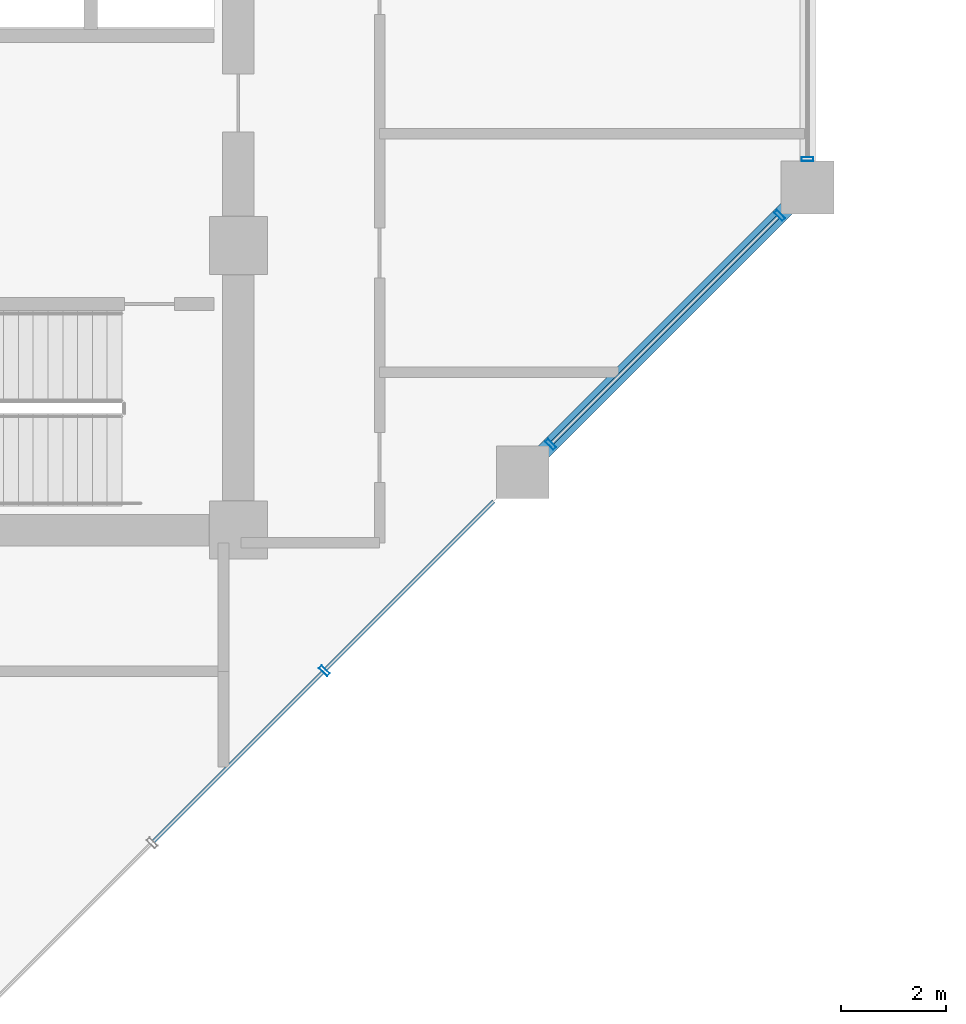
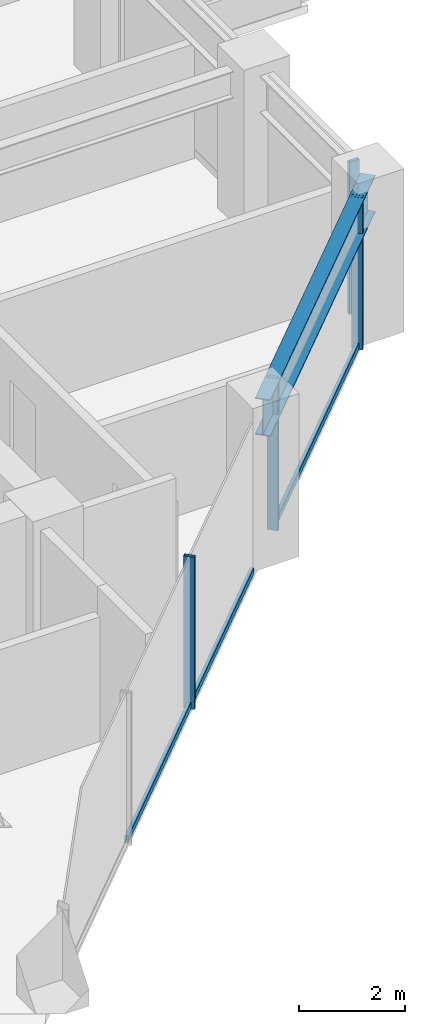
# One storey, part 8 of 29: 7 members, 1 beam, 2 elements without a shape of their own.
"""IFC4 building model written with IfcOpenShell, lengths in metres."""

from ifc_helpers import new_model, si_unit, direction, frame, origin, origin_2d, place, context, subcontext, project, spatial, hollow_rectangle, i_section, extrude, material, layer, layer_set, material_profile, profile_set, type_object, element, aggregate, save


model = new_model("IFC4")

# Units and contexts
model_context = context("Model", 3, precision=1e-05, world=origin(), true_north=direction((0.0, 1.0)))
body_context = subcontext(model_context, "Body", "Model", "MODEL_VIEW")
ifc_project = project(units=[si_unit("LENGTHUNIT", "METRE"), si_unit("AREAUNIT", "SQUARE_METRE"), si_unit("VOLUMEUNIT", "CUBIC_METRE"), si_unit("PLANEANGLEUNIT", "RADIAN"), si_unit("MASSUNIT", "GRAM", prefix="KILO")], contexts=[model_context])

# Site, building, storey
site_placement = place(None, origin())
site = spatial("IfcSite", under=ifc_project, at=site_placement, CompositionType="ELEMENT")
building_placement = place(site_placement, origin())
building = spatial("IfcBuilding", under=site, at=building_placement, Name="Surkhivell Harbour Commons", CompositionType="ELEMENT")
storey_placement = place(building_placement, frame((0.0, 0.0, 158.25)))
storey = spatial("IfcBuildingStorey", under=building, at=storey_placement, Name="L41", CompositionType="ELEMENT", Elevation=158.25)

# Beam
ifc_material_1 = material(Name="Steel S460", Category="steel")
ifc_material_profile_1 = material_profile(ifc_material_1, i_section(OverallWidth=0.2939453125, OverallDepth=0.85107421875, WebThickness=0.01611328125, FlangeThickness=0.02685546875, at=origin_2d()), Name="UB838x292x226")
ifc_profile_set_1 = profile_set([ifc_material_profile_1], Name="Steel S460")
beam_type = type_object("IfcBeamType", Name="BM-SPN-838", PredefinedType="SPANDREL", material=ifc_profile_set_1)
beam_placement = place(storey_placement, frame((16.199951171875, -9.699951171875, 3.074462890625), z_axis=(0.707122765516, 0.707090796496, 0.0), x_axis=(-0.707090796496, 0.707122765516, 0.0)))
element("IfcBeam", 1, at=beam_placement, inside=storey, type_object=beam_type, Name="L41 Tube Spandrel (16.2,-9.7)", PredefinedType="SPANDREL", context=body_context, shape_type="SweptSolid", body=[
    extrude(i_section(OverallWidth=0.2939453125, OverallDepth=0.85107421875, WebThickness=0.01611328125, FlangeThickness=0.02685546875, at=origin_2d()), origin(), (0.0, 0.0, 1.0), 7.63671875),
])

# Curtain wall, members
ifc_material_2 = material(Name="Anodised pale-metal aluminium and insulated glazing", Category="aluminium")
ifc_layer = layer(ifc_material_2, 0.205078125)
ifc_layer_set = layer_set([ifc_layer], Name="Anodised pale-metal aluminium and insulated glazing")
curtain_wall_type = type_object("IfcCurtainWallType", Name="CW-SYS-Z2", PredefinedType="NOTDEFINED", material=ifc_layer_set)
curtain_wall_1_placement = place(storey_placement, origin())
curtain_wall_1 = element("IfcCurtainWall", 2, at=curtain_wall_1_placement, inside=storey, type_object=curtain_wall_type, Name="L41 Curtain Wall CW-L41-E01", PredefinedType="NOTDEFINED")
ifc_material_3 = material(Name="Anodised pale-metal aluminium alloy 6063-T6", Category="aluminium")
ifc_material_profile_2 = material_profile(ifc_material_3, hollow_rectangle(XDim=0.074951171875, YDim=0.219970703125, WallThickness=0.00390625, at=origin_2d()), Name="ALU-MULL-75x220")
ifc_profile_set_2 = profile_set([ifc_material_profile_2], Name="Anodised pale-metal aluminium alloy 6063-T6")
member_type_1 = type_object("IfcMemberType", Name="CWM-220", PredefinedType="MULLION", material=ifc_profile_set_2)
member_1_placement = place(storey_placement, frame((12.432861328125, -13.46728515625, 0.0), z_axis=(0.0, 0.0, 1.0), x_axis=(0.707106781187, 0.707106781187, 0.0)))
member_1 = element("IfcMember", 3, at=member_1_placement, type_object=member_type_1, Name="CW-Z2 mullion 4", PredefinedType="MULLION", context=body_context, shape_type="SweptSolid", body=[
    extrude(hollow_rectangle(XDim=0.074951171875, YDim=0.219970703125, WallThickness=0.00390625, at=origin_2d()), origin(), (0.0, 0.0, 1.0), 3.5),
])
member_2_placement = place(storey_placement, frame((16.728271484375, -9.171875, 0.0), z_axis=(0.0, 0.0, 1.0), x_axis=(0.707106781187, 0.707106781187, 0.0)))
member_2 = element("IfcMember", 4, at=member_2_placement, type_object=member_type_1, Name="CW-Z2 mullion 5", PredefinedType="MULLION", context=body_context, shape_type="SweptSolid", body=[
    extrude(hollow_rectangle(XDim=0.074951171875, YDim=0.219970703125, WallThickness=0.00390625, at=origin_2d()), origin(), (0.0, 0.0, 1.0), 3.5),
])
member_3_placement = place(storey_placement, frame((21.07177734375, -4.828125, 0.0), z_axis=(0.0, 0.0, 1.0), x_axis=(0.707106781187, 0.707106781187, 0.0)))
member_3 = element("IfcMember", 5, at=member_3_placement, type_object=member_type_1, Name="CW-Z2 mullion 6", PredefinedType="MULLION", context=body_context, shape_type="SweptSolid", body=[
    extrude(hollow_rectangle(XDim=0.074951171875, YDim=0.219970703125, WallThickness=0.00390625, at=origin_2d()), origin(), (0.0, 0.0, 1.0), 3.5),
])

# Curtain wall, member
curtain_wall_2_placement = place(storey_placement, origin())
curtain_wall_2 = element("IfcCurtainWall", 6, at=curtain_wall_2_placement, inside=storey, type_object=curtain_wall_type, Name="L41 Curtain Wall CW-L41-E02R1", PredefinedType="NOTDEFINED")
member_4_placement = place(storey_placement, frame((21.60009765625, -3.760498046875, 0.0), z_axis=(0.0, 0.0, 1.0), x_axis=(0.0, 1.0, 0.0)))
member_4 = element("IfcMember", 7, at=member_4_placement, type_object=member_type_1, Name="CW-Z2 mullion 1", PredefinedType="MULLION", context=body_context, shape_type="SweptSolid", body=[
    extrude(hollow_rectangle(XDim=0.074951171875, YDim=0.219970703125, WallThickness=0.00390625, at=origin_2d()), origin(), (0.0, 0.0, 1.0), 3.5),
])
aggregate(curtain_wall_2, [member_4])

# Member
ifc_material_profile_3 = material_profile(ifc_material_3, hollow_rectangle(XDim=0.074951171875, YDim=0.14990234375, WallThickness=0.00341796875, at=origin_2d()), Name="ALU-TRAN-75x150")
ifc_profile_set_3 = profile_set([ifc_material_profile_3], Name="Anodised pale-metal aluminium alloy 6063-T6")
member_type_2 = type_object("IfcMemberType", Name="CWT-150", PredefinedType="USERDEFINED", material=ifc_profile_set_3)
member_5_placement = place(storey_placement, frame((9.19384765625, -16.706298828125, 0.074951171875), z_axis=(0.707079911854, 0.707133649498, 0.0), x_axis=(-0.707133649498, 0.707079911854, 0.0)))
member_5 = element("IfcMember", 8, at=member_5_placement, type_object=member_type_2, Name="CW-Z2 transom 3.1", ObjectType="TRANSOM", PredefinedType="USERDEFINED", context=body_context, shape_type="SweptSolid", body=[
    extrude(hollow_rectangle(XDim=0.074951171875, YDim=0.14990234375, WallThickness=0.00341796875, at=origin_2d()), origin(), (0.0, 0.0, 1.0), 4.543212890625),
])

member_6_placement = place(storey_placement, frame((12.459228515625, -13.440673828125, 0.074951171875), z_axis=(0.707106781187, 0.707106781187, 0.0), x_axis=(-0.707106781187, 0.707106781187, 0.0)))
member_6 = element("IfcMember", 9, at=member_6_placement, type_object=member_type_2, Name="CW-Z2 transom 4.1", ObjectType="TRANSOM", PredefinedType="USERDEFINED", context=body_context, shape_type="SweptSolid", body=[
    extrude(hollow_rectangle(XDim=0.074951171875, YDim=0.14990234375, WallThickness=0.00341796875, at=origin_2d()), origin(), (0.0, 0.0, 1.0), 4.505615234375),
])

member_7_placement = place(storey_placement, frame((16.754638671875, -9.145263671875, 0.074951171875), z_axis=(0.707106781187, 0.707106781187, 0.0), x_axis=(-0.707106781187, 0.707106781187, 0.0)))
member_7 = element("IfcMember", 10, at=member_7_placement, type_object=member_type_2, Name="CW-Z2 transom 5.1", ObjectType="TRANSOM", PredefinedType="USERDEFINED", context=body_context, shape_type="SweptSolid", body=[
    extrude(hollow_rectangle(XDim=0.074951171875, YDim=0.14990234375, WallThickness=0.00341796875, at=origin_2d()), origin(), (0.0, 0.0, 1.0), 6.067626953125),
])

aggregate(curtain_wall_1, [member_1, member_5, member_6, member_2, member_3, member_7])

save(model, "model.ifc")
